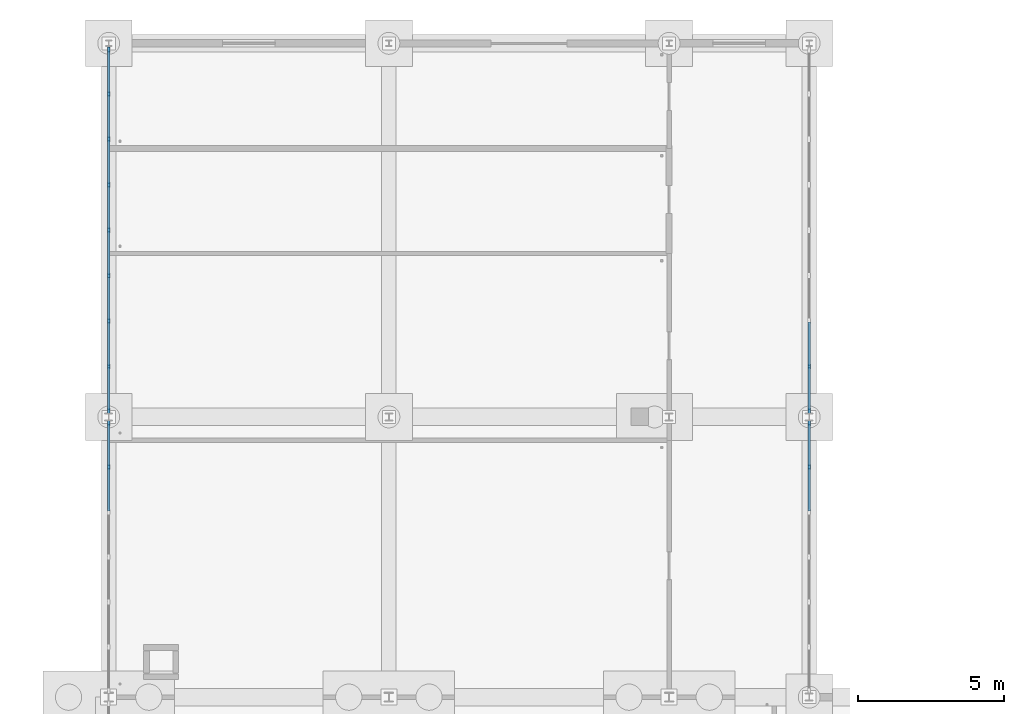
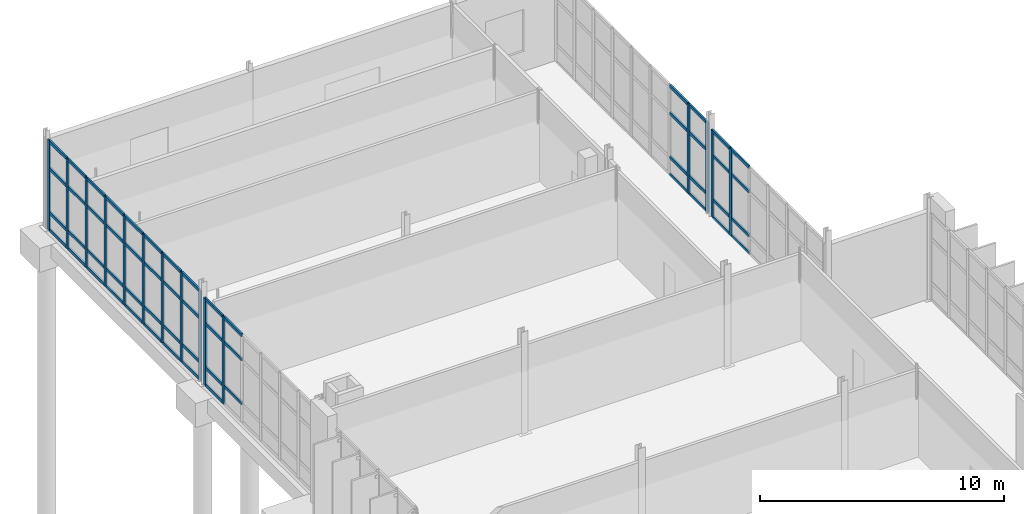
# One storey, part 34 of 111: 70 members, 4 elements without a shape of their own.
"""IFC4 building model written with IfcOpenShell, lengths in metres."""

import ifcopenshell
import ifcopenshell.guid

model = None  # the IFC model being written
_history = None  # IfcOwnerHistory: only IFC2X3 demands one
_inside = {}  # id of a spatial element -> (the spatial element, [elements in it])
_under = {}  # id of a project, library or spatial element -> (it, [spatial elements below it])
_declared = {}  # id of a project -> (the project, [libraries it declares])
_typed = {}  # id of a type object -> (the type object, [elements of that type])
_made_of = {}  # id of a material, layer set ... -> (it, [elements and type objects made of it])


def new_model(schema):
    """Start an empty IFC model of exactly this schema.

    Asked for "IFC4X3", IfcOpenShell would pick the latest addendum, in which some entities
    have other attributes; the version numbers below select the first issue.
    IFC2X3 requires an IfcOwnerHistory on every rooted entity: one is made here for all.
    """
    global model, _history
    if schema == "IFC4X3":
        model = ifcopenshell.file(schema_version=(4, 3, 0, 0))
    else:
        model = ifcopenshell.file(schema=schema)
    _inside.clear()
    _under.clear()
    _declared.clear()
    _typed.clear()
    _made_of.clear()
    _history = None
    if model.schema == "IFC2X3":
        org = make("IfcOrganization", Name="unknown")
        user = make(
            "IfcPersonAndOrganization",
            ThePerson=make("IfcPerson", FamilyName="unknown"),
            TheOrganization=org,
        )
        app = make(
            "IfcApplication",
            ApplicationDeveloper=org,
            Version="unknown",
            ApplicationFullName="unknown",
            ApplicationIdentifier="unknown",
        )
        _history = make(
            "IfcOwnerHistory",
            OwningUser=user,
            OwningApplication=app,
            ChangeAction="ADDED",
            CreationDate=0,
        )
    return model


def make(cls, **values):
    """One entity of the class cls with the attributes given. An attribute that is None is left unset."""
    return model.create_entity(
        cls, **{name: value for name, value in values.items() if value is not None}
    )


def rooted(cls, **values):
    """An entity with a GlobalId (a new one), such as an element, a storey or a relation."""
    return make(cls, GlobalId=ifcopenshell.guid.new(), OwnerHistory=_history, **values)


def si_unit(unit_type, name, prefix=None):
    """IfcSIUnit, for example si_unit("LENGTHUNIT", "METRE", prefix="MILLI")."""
    return make("IfcSIUnit", UnitType=unit_type, Prefix=prefix, Name=name)


def assignment(units):
    """IfcUnitAssignment: the units of a project."""
    return None if units is None else make("IfcUnitAssignment", Units=units)


def point(xyz):
    """IfcCartesianPoint."""
    return None if xyz is None else make("IfcCartesianPoint", Coordinates=xyz)


def direction(xyz):
    """IfcDirection."""
    return None if xyz is None else make("IfcDirection", DirectionRatios=xyz)


def frame(location, z_axis=None, x_axis=None):
    """IfcAxis2Placement3D, a coordinate frame: its origin and axes. An axis left out is left unset."""
    return make(
        "IfcAxis2Placement3D",
        Location=point(location),
        Axis=direction(z_axis),
        RefDirection=direction(x_axis),
    )


def frame_2d(location, x_axis=None):
    """IfcAxis2Placement2D, a coordinate frame in the plane: its origin and x axis."""
    return make(
        "IfcAxis2Placement2D", Location=point(location), RefDirection=direction(x_axis)
    )


def origin():
    """The frame at (0, 0, 0) with its axes left unset."""
    return frame((0.0, 0.0, 0.0))


def origin_2d():
    """The frame at (0, 0) in the plane with its x axis left unset."""
    return frame_2d((0.0, 0.0))


def place(relative_to, where):
    """IfcLocalPlacement: puts the frame where relative to a parent placement (None: the world)."""
    return make(
        "IfcLocalPlacement", PlacementRelTo=relative_to, RelativePlacement=where
    )


def context(
    kind, dimensions, precision=None, world=None, true_north=None, identifier=None
):
    """IfcGeometricRepresentationContext, for example the 3D "Model" context."""
    return make(
        "IfcGeometricRepresentationContext",
        ContextIdentifier=identifier,
        ContextType=kind,
        CoordinateSpaceDimension=dimensions,
        Precision=precision,
        WorldCoordinateSystem=world,
        TrueNorth=true_north,
    )


def subcontext(parent, identifier, kind, view, scale=None):
    """IfcGeometricRepresentationSubContext, for example "Body" below "Model"."""
    return make(
        "IfcGeometricRepresentationSubContext",
        ContextIdentifier=identifier,
        ContextType=kind,
        ParentContext=parent,
        TargetScale=scale,
        TargetView=view,
    )


def project(units=None, contexts=None):
    """IfcProject with its units and contexts."""
    return rooted(
        "IfcProject",
        Name="project",
        RepresentationContexts=contexts,
        UnitsInContext=assignment(units),
    )


def spatial(cls, under=None, at=None, **own):
    """A site, building, storey or space (cls), placed at a placement, below another one or the project."""
    s = rooted(cls, ObjectPlacement=at, **own)
    if under is not None:
        _under.setdefault(under.id(), (under, []))[1].append(s)
    return s


def profile(cls, at=None, kind="AREA", **sizes):
    """A parametric profile (cls). Its sizes go by their IFC names, for example OverallWidth=200.0."""
    return make(cls, ProfileType=kind, Position=at, **sizes)


def rectangle(**sizes):
    """IfcRectangleProfileDef."""
    return profile("IfcRectangleProfileDef", **sizes)


def extrude(swept, where, along, depth):
    """IfcExtrudedAreaSolid: the profile swept, set in the frame where, extruded along a direction by depth."""
    return make(
        "IfcExtrudedAreaSolid",
        SweptArea=swept,
        Position=where,
        ExtrudedDirection=direction(along),
        Depth=depth,
    )


def shape(context_of_items, identifier, shape_type, items):
    """IfcShapeRepresentation: the items that make up one representation, for example the "Body"."""
    return make(
        "IfcShapeRepresentation",
        ContextOfItems=context_of_items,
        RepresentationIdentifier=identifier,
        RepresentationType=shape_type,
        Items=items,
    )


def material(Name=None, Category=None):
    """IfcMaterial."""
    return make("IfcMaterial", Name=Name, Category=Category)


def material_profile(
    of_material, cross_section, Name=None, Category=None, Priority=None
):
    """IfcMaterialProfile: a cross section and its material."""
    return make(
        "IfcMaterialProfile",
        Name=Name,
        Material=of_material,
        Profile=cross_section,
        Priority=Priority,
        Category=Category,
    )


def profile_set(profiles, Name=None, composite=None):
    """IfcMaterialProfileSet."""
    return make(
        "IfcMaterialProfileSet",
        Name=Name,
        MaterialProfiles=profiles,
        CompositeProfile=composite,
    )


def made_of(thing, what):
    """Note that an element or type object is made of a material, layer set ...; save() writes the relation."""
    if what is not None:
        _made_of.setdefault(what.id(), (what, []))[1].append(thing)
    return thing


def type_object(cls, material=None, **own):
    """A type object (cls), such as IfcWallType, which elements share."""
    return made_of(rooted(cls, **own), material)


def element(
    cls,
    number,
    at=None,
    inside=None,
    cuts=None,
    type_object=None,
    material=None,
    context=None,
    identifier="Body",
    shape_type=None,
    held_by="IfcProductDefinitionShape",
    body=None,
    shapes=None,
    **own,
):
    """One element of the class cls, such as IfcWall. Its Tag is "e" and its number.

    at: its placement. inside: the storey or other place that contains it. cuts: it is an
    opening in that element (IfcRelVoidsElement). A single representation is given by context,
    identifier, shape_type and body (its items); several are given by shapes. held_by: the class
    of the entity that holds the representations. save() writes the other relations.
    """
    e = rooted(cls, Tag="e%d" % number, ObjectPlacement=at, **own)
    if body is not None:
        shapes = [shape(context, identifier, shape_type, body)]
    if shapes is not None:
        e.Representation = make(held_by, Representations=shapes)
    if inside is not None:
        _inside.setdefault(inside.id(), (inside, []))[1].append(e)
    if cuts is not None:
        rooted(
            "IfcRelVoidsElement", RelatingBuildingElement=cuts, RelatedOpeningElement=e
        )
    if type_object is not None:
        _typed.setdefault(type_object.id(), (type_object, []))[1].append(e)
    return made_of(e, material)


def aggregate(whole, parts):
    """IfcRelAggregates: a whole, such as a stair, and the parts it consists of."""
    return rooted("IfcRelAggregates", RelatingObject=whole, RelatedObjects=parts)


def save(model, path):
    """Write the relations noted so far, then the file.

    IfcRelAggregates (storeys below a building ...), IfcRelContainedInSpatialStructure (elements
    in a storey), IfcRelDefinesByType, IfcRelAssociatesMaterial and IfcRelDeclares: one each for
    every whole, place, type object, material and project.
    """
    for whole, parts in _under.values():
        aggregate(whole, parts)
    for where, things in _inside.values():
        rooted(
            "IfcRelContainedInSpatialStructure",
            RelatedElements=things,
            RelatingStructure=where,
        )
    for kind, things in _typed.values():
        rooted("IfcRelDefinesByType", RelatedObjects=things, RelatingType=kind)
    for what, things in _made_of.values():
        rooted("IfcRelAssociatesMaterial", RelatedObjects=things, RelatingMaterial=what)
    for by, libraries in _declared.values():
        rooted("IfcRelDeclares", RelatingContext=by, RelatedDefinitions=libraries)
    model.write(path)


model = new_model("IFC4")

# Units and contexts
model_context = context("Model", 3, precision=1e-05, world=origin(), true_north=direction((0.0, 1.0)))
body_context = subcontext(model_context, "Body", "Model", "MODEL_VIEW")
ifc_project = project(units=[si_unit("LENGTHUNIT", "METRE"), si_unit("AREAUNIT", "SQUARE_METRE"), si_unit("VOLUMEUNIT", "CUBIC_METRE"), si_unit("PLANEANGLEUNIT", "RADIAN"), si_unit("MASSUNIT", "GRAM", prefix="KILO")], contexts=[model_context])

# Site, building, storey
site_placement = place(None, origin())
site = spatial("IfcSite", under=ifc_project, at=site_placement, CompositionType="ELEMENT")
building_placement = place(site_placement, origin())
building = spatial("IfcBuilding", under=site, at=building_placement, Name="Dunescarp Central Library", CompositionType="ELEMENT")
storey_placement = place(building_placement, origin())
storey = spatial("IfcBuildingStorey", under=building, at=storey_placement, Name="L00", CompositionType="ELEMENT", Elevation=0.0)

# Curtain wall, members
ifc_material = material(Name="Marine-grade anodised aluminium 6063-T6", Category="aluminium")
curtain_wall_type = type_object("IfcCurtainWallType", Name="ARC-CW-STICK", PredefinedType="NOTDEFINED", material=ifc_material)
curtain_wall_1_placement = place(storey_placement, origin())
curtain_wall_1 = element("IfcCurtainWall", 1, at=curtain_wall_1_placement, inside=storey, type_object=curtain_wall_type, Name="L00 curtain wall CW-V4N-138", PredefinedType="NOTDEFINED")
ifc_material_profile_1 = material_profile(ifc_material, rectangle(XDim=0.080078125, YDim=0.179931640625, at=origin_2d()), Name="AL 80x180")
ifc_profile_set_1 = profile_set([ifc_material_profile_1], Name="Marine-grade anodised aluminium 6063-T6")
member_type_1 = type_object("IfcMemberType", Name="ARC-CWM-180", PredefinedType="MULLION", material=ifc_profile_set_1)
member_1_placement = place(storey_placement, frame((0.0, 97.4833984375, 0.0), z_axis=(0.0, 0.0, 1.0), x_axis=(-1.0, 0.0, 0.0)))
member_1 = element("IfcMember", 2, at=member_1_placement, type_object=member_type_1, Name="CW-V4N-138 mullion 6", PredefinedType="MULLION", context=body_context, shape_type="SweptSolid", body=[
    extrude(rectangle(XDim=0.080078125, YDim=0.179931640625, at=origin_2d()), origin(), (0.0, 0.0, 1.0), 4.35498046875),
])
member_2_placement = place(storey_placement, frame((0.0, 98.985107421875, 0.0), z_axis=(0.0, 0.0, 1.0), x_axis=(-1.0, 0.0, 0.0)))
member_2 = element("IfcMember", 3, at=member_2_placement, type_object=member_type_1, Name="CW-V4N-138 mullion 7", PredefinedType="MULLION", context=body_context, shape_type="SweptSolid", body=[
    extrude(rectangle(XDim=0.080078125, YDim=0.179931640625, at=origin_2d()), origin(), (0.0, 0.0, 1.0), 4.35498046875),
])

curtain_wall_2_placement = place(storey_placement, origin())
curtain_wall_2 = element("IfcCurtainWall", 4, at=curtain_wall_2_placement, inside=storey, type_object=curtain_wall_type, Name="L00 curtain wall CW-V4N-139", PredefinedType="NOTDEFINED")
member_3_placement = place(storey_placement, frame((24.0, 98.985107421875, 0.0), z_axis=(0.0, 0.0, 1.0), x_axis=(1.0, 0.0, 0.0)))
member_3 = element("IfcMember", 5, at=member_3_placement, type_object=member_type_1, Name="CW-V4N-139 mullion 1", PredefinedType="MULLION", context=body_context, shape_type="SweptSolid", body=[
    extrude(rectangle(XDim=0.080078125, YDim=0.179931640625, at=origin_2d()), origin(), (0.0, 0.0, 1.0), 4.35498046875),
])
member_4_placement = place(storey_placement, frame((24.0, 97.4833984375, 0.0), z_axis=(0.0, 0.0, 1.0), x_axis=(1.0, 0.0, 0.0)))
member_4 = element("IfcMember", 6, at=member_4_placement, type_object=member_type_1, Name="CW-V4N-139 mullion 2", PredefinedType="MULLION", context=body_context, shape_type="SweptSolid", body=[
    extrude(rectangle(XDim=0.080078125, YDim=0.179931640625, at=origin_2d()), origin(), (0.0, 0.0, 1.0), 4.35498046875),
])

curtain_wall_3_placement = place(storey_placement, origin())
curtain_wall_3 = element("IfcCurtainWall", 7, at=curtain_wall_3_placement, inside=storey, type_object=curtain_wall_type, Name="L00 curtain wall CW-V4N-140", PredefinedType="NOTDEFINED")
member_5_placement = place(storey_placement, frame((0.0, 99.4150390625, 0.0), z_axis=(0.0, 0.0, 1.0), x_axis=(-1.0, 0.0, 0.0)))
member_5 = element("IfcMember", 8, at=member_5_placement, type_object=member_type_1, Name="CW-V4N-140 mullion 1", PredefinedType="MULLION", context=body_context, shape_type="SweptSolid", body=[
    extrude(rectangle(XDim=0.080078125, YDim=0.179931640625, at=origin_2d()), origin(), (0.0, 0.0, 1.0), 4.4951171875),
])
member_6_placement = place(storey_placement, frame((0.0, 100.93115234375, 0.0), z_axis=(0.0, 0.0, 1.0), x_axis=(-1.0, 0.0, 0.0)))
member_6 = element("IfcMember", 9, at=member_6_placement, type_object=member_type_1, Name="CW-V4N-140 mullion 2", PredefinedType="MULLION", context=body_context, shape_type="SweptSolid", body=[
    extrude(rectangle(XDim=0.080078125, YDim=0.179931640625, at=origin_2d()), origin(), (0.0, 0.0, 1.0), 4.4951171875),
])
member_7_placement = place(storey_placement, frame((0.0, 102.487548828125, 0.0), z_axis=(0.0, 0.0, 1.0), x_axis=(-1.0, 0.0, 0.0)))
member_7 = element("IfcMember", 10, at=member_7_placement, type_object=member_type_1, Name="CW-V4N-140 mullion 3", PredefinedType="MULLION", context=body_context, shape_type="SweptSolid", body=[
    extrude(rectangle(XDim=0.080078125, YDim=0.179931640625, at=origin_2d()), origin(), (0.0, 0.0, 1.0), 4.4951171875),
])
member_8_placement = place(storey_placement, frame((0.0, 104.043701171875, 0.0), z_axis=(0.0, 0.0, 1.0), x_axis=(-1.0, 0.0, 0.0)))
member_8 = element("IfcMember", 11, at=member_8_placement, type_object=member_type_1, Name="CW-V4N-140 mullion 4", PredefinedType="MULLION", context=body_context, shape_type="SweptSolid", body=[
    extrude(rectangle(XDim=0.080078125, YDim=0.179931640625, at=origin_2d()), origin(), (0.0, 0.0, 1.0), 4.4951171875),
])
member_9_placement = place(storey_placement, frame((0.0, 105.60009765625, 0.0), z_axis=(0.0, 0.0, 1.0), x_axis=(-1.0, 0.0, 0.0)))
member_9 = element("IfcMember", 12, at=member_9_placement, type_object=member_type_1, Name="CW-V4N-140 mullion 5", PredefinedType="MULLION", context=body_context, shape_type="SweptSolid", body=[
    extrude(rectangle(XDim=0.080078125, YDim=0.179931640625, at=origin_2d()), origin(), (0.0, 0.0, 1.0), 4.4951171875),
])
member_10_placement = place(storey_placement, frame((0.0, 107.15625, 0.0), z_axis=(0.0, 0.0, 1.0), x_axis=(-1.0, 0.0, 0.0)))
member_10 = element("IfcMember", 13, at=member_10_placement, type_object=member_type_1, Name="CW-V4N-140 mullion 6", PredefinedType="MULLION", context=body_context, shape_type="SweptSolid", body=[
    extrude(rectangle(XDim=0.080078125, YDim=0.179931640625, at=origin_2d()), origin(), (0.0, 0.0, 1.0), 4.4951171875),
])
member_11_placement = place(storey_placement, frame((0.0, 108.71240234375, 0.0), z_axis=(0.0, 0.0, 1.0), x_axis=(-1.0, 0.0, 0.0)))
member_11 = element("IfcMember", 14, at=member_11_placement, type_object=member_type_1, Name="CW-V4N-140 mullion 7", PredefinedType="MULLION", context=body_context, shape_type="SweptSolid", body=[
    extrude(rectangle(XDim=0.080078125, YDim=0.179931640625, at=origin_2d()), origin(), (0.0, 0.0, 1.0), 4.4951171875),
])
member_12_placement = place(storey_placement, frame((0.0, 110.268798828125, 0.0), z_axis=(0.0, 0.0, 1.0), x_axis=(-1.0, 0.0, 0.0)))
member_12 = element("IfcMember", 15, at=member_12_placement, type_object=member_type_1, Name="CW-V4N-140 mullion 8", PredefinedType="MULLION", context=body_context, shape_type="SweptSolid", body=[
    extrude(rectangle(XDim=0.080078125, YDim=0.179931640625, at=origin_2d()), origin(), (0.0, 0.0, 1.0), 4.4951171875),
])
member_13_placement = place(storey_placement, frame((0.0, 111.784912109375, 0.0), z_axis=(0.0, 0.0, 1.0), x_axis=(-1.0, 0.0, 0.0)))
member_13 = element("IfcMember", 16, at=member_13_placement, type_object=member_type_1, Name="CW-V4N-140 mullion 9", PredefinedType="MULLION", context=body_context, shape_type="SweptSolid", body=[
    extrude(rectangle(XDim=0.080078125, YDim=0.179931640625, at=origin_2d()), origin(), (0.0, 0.0, 1.0), 4.4951171875),
])

curtain_wall_4_placement = place(storey_placement, origin())
curtain_wall_4 = element("IfcCurtainWall", 17, at=curtain_wall_4_placement, inside=storey, type_object=curtain_wall_type, Name="L00 curtain wall CW-V4N-141", PredefinedType="NOTDEFINED")
member_14_placement = place(storey_placement, frame((24.0, 100.93115234375, 0.0), z_axis=(0.0, 0.0, 1.0), x_axis=(1.0, 0.0, 0.0)))
member_14 = element("IfcMember", 18, at=member_14_placement, type_object=member_type_1, Name="CW-V4N-141 mullion 8", PredefinedType="MULLION", context=body_context, shape_type="SweptSolid", body=[
    extrude(rectangle(XDim=0.080078125, YDim=0.179931640625, at=origin_2d()), origin(), (0.0, 0.0, 1.0), 4.4951171875),
])
member_15_placement = place(storey_placement, frame((24.0, 99.4150390625, 0.0), z_axis=(0.0, 0.0, 1.0), x_axis=(1.0, 0.0, 0.0)))
member_15 = element("IfcMember", 19, at=member_15_placement, type_object=member_type_1, Name="CW-V4N-141 mullion 9", PredefinedType="MULLION", context=body_context, shape_type="SweptSolid", body=[
    extrude(rectangle(XDim=0.080078125, YDim=0.179931640625, at=origin_2d()), origin(), (0.0, 0.0, 1.0), 4.4951171875),
])

# Member
ifc_material_profile_2 = material_profile(ifc_material, rectangle(XDim=0.080078125, YDim=0.14990234375, at=origin_2d()), Name="AL 80x150")
ifc_profile_set_2 = profile_set([ifc_material_profile_2], Name="Marine-grade anodised aluminium 6063-T6")
member_type_2 = type_object("IfcMemberType", Name="ARC-CWT-150", PredefinedType="USERDEFINED", material=ifc_profile_set_2)
member_16_placement = place(storey_placement, frame((0.0, 95.981689453125, 0.89990234375), z_axis=(0.0, 1.0, 0.0), x_axis=(-1.0, 0.0, 0.0)))
member_16 = element("IfcMember", 20, at=member_16_placement, type_object=member_type_2, Name="CW-V4N-138 transom 5.2", ObjectType="TRANSOM", PredefinedType="USERDEFINED", context=body_context, shape_type="SweptSolid", body=[
    extrude(rectangle(XDim=0.080078125, YDim=0.14990234375, at=origin_2d()), origin(), (0.0, 0.0, 1.0), 1.461669921875),
])

member_17_placement = place(storey_placement, frame((0.0, 95.981689453125, 3.10009765625), z_axis=(0.0, 1.0, 0.0), x_axis=(-1.0, 0.0, 0.0)))
member_17 = element("IfcMember", 21, at=member_17_placement, type_object=member_type_2, Name="CW-V4N-138 transom 5.3", ObjectType="TRANSOM", PredefinedType="USERDEFINED", context=body_context, shape_type="SweptSolid", body=[
    extrude(rectangle(XDim=0.080078125, YDim=0.14990234375, at=origin_2d()), origin(), (0.0, 0.0, 1.0), 1.461669921875),
])

member_18_placement = place(storey_placement, frame((0.0, 95.981689453125, 4.31494140625), z_axis=(0.0, 1.0, 0.0), x_axis=(-1.0, 0.0, 0.0)))
member_18 = element("IfcMember", 22, at=member_18_placement, type_object=member_type_2, Name="CW-V4N-138 transom 5.4", ObjectType="TRANSOM", PredefinedType="USERDEFINED", context=body_context, shape_type="SweptSolid", body=[
    extrude(rectangle(XDim=0.080078125, YDim=0.14990234375, at=origin_2d()), origin(), (0.0, 0.0, 1.0), 1.461669921875),
])

member_19_placement = place(storey_placement, frame((0.0, 97.5234375, 0.0400390625), z_axis=(0.0, 1.0, 0.0), x_axis=(-1.0, 0.0, 0.0)))
member_19 = element("IfcMember", 23, at=member_19_placement, type_object=member_type_2, Name="CW-V4N-138 transom 6.1", ObjectType="TRANSOM", PredefinedType="USERDEFINED", context=body_context, shape_type="SweptSolid", body=[
    extrude(rectangle(XDim=0.080078125, YDim=0.14990234375, at=origin_2d()), origin(), (0.0, 0.0, 1.0), 1.421630859375),
])

member_20_placement = place(storey_placement, frame((0.0, 97.5234375, 0.89990234375), z_axis=(0.0, 1.0, 0.0), x_axis=(-1.0, 0.0, 0.0)))
member_20 = element("IfcMember", 24, at=member_20_placement, type_object=member_type_2, Name="CW-V4N-138 transom 6.2", ObjectType="TRANSOM", PredefinedType="USERDEFINED", context=body_context, shape_type="SweptSolid", body=[
    extrude(rectangle(XDim=0.080078125, YDim=0.14990234375, at=origin_2d()), origin(), (0.0, 0.0, 1.0), 1.421630859375),
])

member_21_placement = place(storey_placement, frame((0.0, 97.5234375, 3.10009765625), z_axis=(0.0, 1.0, 0.0), x_axis=(-1.0, 0.0, 0.0)))
member_21 = element("IfcMember", 25, at=member_21_placement, type_object=member_type_2, Name="CW-V4N-138 transom 6.3", ObjectType="TRANSOM", PredefinedType="USERDEFINED", context=body_context, shape_type="SweptSolid", body=[
    extrude(rectangle(XDim=0.080078125, YDim=0.14990234375, at=origin_2d()), origin(), (0.0, 0.0, 1.0), 1.421630859375),
])

member_22_placement = place(storey_placement, frame((0.0, 97.5234375, 4.31494140625), z_axis=(0.0, 1.0, 0.0), x_axis=(-1.0, 0.0, 0.0)))
member_22 = element("IfcMember", 26, at=member_22_placement, type_object=member_type_2, Name="CW-V4N-138 transom 6.4", ObjectType="TRANSOM", PredefinedType="USERDEFINED", context=body_context, shape_type="SweptSolid", body=[
    extrude(rectangle(XDim=0.080078125, YDim=0.14990234375, at=origin_2d()), origin(), (0.0, 0.0, 1.0), 1.421630859375),
])

aggregate(curtain_wall_1, [member_1, member_2, member_16, member_17, member_18, member_19, member_20, member_21, member_22])

member_23_placement = place(storey_placement, frame((24.0, 98.945068359375, 0.0400390625), z_axis=(0.0, -1.0, 0.0), x_axis=(1.0, 0.0, 0.0)))
member_23 = element("IfcMember", 27, at=member_23_placement, type_object=member_type_2, Name="CW-V4N-139 transom 1.1", ObjectType="TRANSOM", PredefinedType="USERDEFINED", context=body_context, shape_type="SweptSolid", body=[
    extrude(rectangle(XDim=0.080078125, YDim=0.14990234375, at=origin_2d()), origin(), (0.0, 0.0, 1.0), 1.421630859375),
])

member_24_placement = place(storey_placement, frame((24.0, 98.945068359375, 0.89990234375), z_axis=(0.0, -1.0, 0.0), x_axis=(1.0, 0.0, 0.0)))
member_24 = element("IfcMember", 28, at=member_24_placement, type_object=member_type_2, Name="CW-V4N-139 transom 1.2", ObjectType="TRANSOM", PredefinedType="USERDEFINED", context=body_context, shape_type="SweptSolid", body=[
    extrude(rectangle(XDim=0.080078125, YDim=0.14990234375, at=origin_2d()), origin(), (0.0, 0.0, 1.0), 1.421630859375),
])

member_25_placement = place(storey_placement, frame((24.0, 98.945068359375, 3.10009765625), z_axis=(0.0, -1.0, 0.0), x_axis=(1.0, 0.0, 0.0)))
member_25 = element("IfcMember", 29, at=member_25_placement, type_object=member_type_2, Name="CW-V4N-139 transom 1.3", ObjectType="TRANSOM", PredefinedType="USERDEFINED", context=body_context, shape_type="SweptSolid", body=[
    extrude(rectangle(XDim=0.080078125, YDim=0.14990234375, at=origin_2d()), origin(), (0.0, 0.0, 1.0), 1.421630859375),
])

member_26_placement = place(storey_placement, frame((24.0, 98.945068359375, 4.31494140625), z_axis=(0.0, -1.0, 0.0), x_axis=(1.0, 0.0, 0.0)))
member_26 = element("IfcMember", 30, at=member_26_placement, type_object=member_type_2, Name="CW-V4N-139 transom 1.4", ObjectType="TRANSOM", PredefinedType="USERDEFINED", context=body_context, shape_type="SweptSolid", body=[
    extrude(rectangle(XDim=0.080078125, YDim=0.14990234375, at=origin_2d()), origin(), (0.0, 0.0, 1.0), 1.421630859375),
])

member_27_placement = place(storey_placement, frame((24.0, 97.443359375, 0.0400390625), z_axis=(0.0, -1.0, 0.0), x_axis=(1.0, 0.0, 0.0)))
member_27 = element("IfcMember", 31, at=member_27_placement, type_object=member_type_2, Name="CW-V4N-139 transom 2.1", ObjectType="TRANSOM", PredefinedType="USERDEFINED", context=body_context, shape_type="SweptSolid", body=[
    extrude(rectangle(XDim=0.080078125, YDim=0.14990234375, at=origin_2d()), origin(), (0.0, 0.0, 1.0), 1.461669921875),
])

member_28_placement = place(storey_placement, frame((24.0, 97.443359375, 0.89990234375), z_axis=(0.0, -1.0, 0.0), x_axis=(1.0, 0.0, 0.0)))
member_28 = element("IfcMember", 32, at=member_28_placement, type_object=member_type_2, Name="CW-V4N-139 transom 2.2", ObjectType="TRANSOM", PredefinedType="USERDEFINED", context=body_context, shape_type="SweptSolid", body=[
    extrude(rectangle(XDim=0.080078125, YDim=0.14990234375, at=origin_2d()), origin(), (0.0, 0.0, 1.0), 1.461669921875),
])

member_29_placement = place(storey_placement, frame((24.0, 97.443359375, 3.10009765625), z_axis=(0.0, -1.0, 0.0), x_axis=(1.0, 0.0, 0.0)))
member_29 = element("IfcMember", 33, at=member_29_placement, type_object=member_type_2, Name="CW-V4N-139 transom 2.3", ObjectType="TRANSOM", PredefinedType="USERDEFINED", context=body_context, shape_type="SweptSolid", body=[
    extrude(rectangle(XDim=0.080078125, YDim=0.14990234375, at=origin_2d()), origin(), (0.0, 0.0, 1.0), 1.461669921875),
])

member_30_placement = place(storey_placement, frame((24.0, 97.443359375, 4.31494140625), z_axis=(0.0, -1.0, 0.0), x_axis=(1.0, 0.0, 0.0)))
member_30 = element("IfcMember", 34, at=member_30_placement, type_object=member_type_2, Name="CW-V4N-139 transom 2.4", ObjectType="TRANSOM", PredefinedType="USERDEFINED", context=body_context, shape_type="SweptSolid", body=[
    extrude(rectangle(XDim=0.080078125, YDim=0.14990234375, at=origin_2d()), origin(), (0.0, 0.0, 1.0), 1.461669921875),
])

aggregate(curtain_wall_2, [member_3, member_4, member_23, member_24, member_25, member_26, member_27, member_28, member_29, member_30])

member_31_placement = place(storey_placement, frame((0.0, 99.455078125, 0.0400390625), z_axis=(0.0, 1.0, 0.0), x_axis=(-1.0, 0.0, 0.0)))
member_31 = element("IfcMember", 35, at=member_31_placement, type_object=member_type_2, Name="CW-V4N-140 transom 1.1", ObjectType="TRANSOM", PredefinedType="USERDEFINED", context=body_context, shape_type="SweptSolid", body=[
    extrude(rectangle(XDim=0.080078125, YDim=0.14990234375, at=origin_2d()), origin(), (0.0, 0.0, 1.0), 1.436279296875),
])

member_32_placement = place(storey_placement, frame((0.0, 99.455078125, 0.89990234375), z_axis=(0.0, 1.0, 0.0), x_axis=(-1.0, 0.0, 0.0)))
member_32 = element("IfcMember", 36, at=member_32_placement, type_object=member_type_2, Name="CW-V4N-140 transom 1.2", ObjectType="TRANSOM", PredefinedType="USERDEFINED", context=body_context, shape_type="SweptSolid", body=[
    extrude(rectangle(XDim=0.080078125, YDim=0.14990234375, at=origin_2d()), origin(), (0.0, 0.0, 1.0), 1.436279296875),
])

member_33_placement = place(storey_placement, frame((0.0, 99.455078125, 3.10009765625), z_axis=(0.0, 1.0, 0.0), x_axis=(-1.0, 0.0, 0.0)))
member_33 = element("IfcMember", 37, at=member_33_placement, type_object=member_type_2, Name="CW-V4N-140 transom 1.3", ObjectType="TRANSOM", PredefinedType="USERDEFINED", context=body_context, shape_type="SweptSolid", body=[
    extrude(rectangle(XDim=0.080078125, YDim=0.14990234375, at=origin_2d()), origin(), (0.0, 0.0, 1.0), 1.436279296875),
])

member_34_placement = place(storey_placement, frame((0.0, 99.455078125, 4.455078125), z_axis=(0.0, 1.0, 0.0), x_axis=(-1.0, 0.0, 0.0)))
member_34 = element("IfcMember", 38, at=member_34_placement, type_object=member_type_2, Name="CW-V4N-140 transom 1.4", ObjectType="TRANSOM", PredefinedType="USERDEFINED", context=body_context, shape_type="SweptSolid", body=[
    extrude(rectangle(XDim=0.080078125, YDim=0.14990234375, at=origin_2d()), origin(), (0.0, 0.0, 1.0), 1.436279296875),
])

member_35_placement = place(storey_placement, frame((0.0, 100.97119140625, 0.0400390625), z_axis=(0.0, 1.0, 0.0), x_axis=(-1.0, 0.0, 0.0)))
member_35 = element("IfcMember", 39, at=member_35_placement, type_object=member_type_2, Name="CW-V4N-140 transom 2.1", ObjectType="TRANSOM", PredefinedType="USERDEFINED", context=body_context, shape_type="SweptSolid", body=[
    extrude(rectangle(XDim=0.080078125, YDim=0.14990234375, at=origin_2d()), origin(), (0.0, 0.0, 1.0), 1.476318359375),
])

member_36_placement = place(storey_placement, frame((0.0, 100.97119140625, 0.89990234375), z_axis=(0.0, 1.0, 0.0), x_axis=(-1.0, 0.0, 0.0)))
member_36 = element("IfcMember", 40, at=member_36_placement, type_object=member_type_2, Name="CW-V4N-140 transom 2.2", ObjectType="TRANSOM", PredefinedType="USERDEFINED", context=body_context, shape_type="SweptSolid", body=[
    extrude(rectangle(XDim=0.080078125, YDim=0.14990234375, at=origin_2d()), origin(), (0.0, 0.0, 1.0), 1.476318359375),
])

member_37_placement = place(storey_placement, frame((0.0, 100.97119140625, 3.10009765625), z_axis=(0.0, 1.0, 0.0), x_axis=(-1.0, 0.0, 0.0)))
member_37 = element("IfcMember", 41, at=member_37_placement, type_object=member_type_2, Name="CW-V4N-140 transom 2.3", ObjectType="TRANSOM", PredefinedType="USERDEFINED", context=body_context, shape_type="SweptSolid", body=[
    extrude(rectangle(XDim=0.080078125, YDim=0.14990234375, at=origin_2d()), origin(), (0.0, 0.0, 1.0), 1.476318359375),
])

member_38_placement = place(storey_placement, frame((0.0, 100.97119140625, 4.455078125), z_axis=(0.0, 1.0, 0.0), x_axis=(-1.0, 0.0, 0.0)))
member_38 = element("IfcMember", 42, at=member_38_placement, type_object=member_type_2, Name="CW-V4N-140 transom 2.4", ObjectType="TRANSOM", PredefinedType="USERDEFINED", context=body_context, shape_type="SweptSolid", body=[
    extrude(rectangle(XDim=0.080078125, YDim=0.14990234375, at=origin_2d()), origin(), (0.0, 0.0, 1.0), 1.476318359375),
])

member_39_placement = place(storey_placement, frame((0.0, 102.527587890625, 0.0400390625), z_axis=(0.0, 1.0, 0.0), x_axis=(-1.0, 0.0, 0.0)))
member_39 = element("IfcMember", 43, at=member_39_placement, type_object=member_type_2, Name="CW-V4N-140 transom 3.1", ObjectType="TRANSOM", PredefinedType="USERDEFINED", context=body_context, shape_type="SweptSolid", body=[
    extrude(rectangle(XDim=0.080078125, YDim=0.14990234375, at=origin_2d()), origin(), (0.0, 0.0, 1.0), 1.47607421875),
])

member_40_placement = place(storey_placement, frame((0.0, 102.527587890625, 0.89990234375), z_axis=(0.0, 1.0, 0.0), x_axis=(-1.0, 0.0, 0.0)))
member_40 = element("IfcMember", 44, at=member_40_placement, type_object=member_type_2, Name="CW-V4N-140 transom 3.2", ObjectType="TRANSOM", PredefinedType="USERDEFINED", context=body_context, shape_type="SweptSolid", body=[
    extrude(rectangle(XDim=0.080078125, YDim=0.14990234375, at=origin_2d()), origin(), (0.0, 0.0, 1.0), 1.47607421875),
])

member_41_placement = place(storey_placement, frame((0.0, 102.527587890625, 3.10009765625), z_axis=(0.0, 1.0, 0.0), x_axis=(-1.0, 0.0, 0.0)))
member_41 = element("IfcMember", 45, at=member_41_placement, type_object=member_type_2, Name="CW-V4N-140 transom 3.3", ObjectType="TRANSOM", PredefinedType="USERDEFINED", context=body_context, shape_type="SweptSolid", body=[
    extrude(rectangle(XDim=0.080078125, YDim=0.14990234375, at=origin_2d()), origin(), (0.0, 0.0, 1.0), 1.47607421875),
])

member_42_placement = place(storey_placement, frame((0.0, 102.527587890625, 4.455078125), z_axis=(0.0, 1.0, 0.0), x_axis=(-1.0, 0.0, 0.0)))
member_42 = element("IfcMember", 46, at=member_42_placement, type_object=member_type_2, Name="CW-V4N-140 transom 3.4", ObjectType="TRANSOM", PredefinedType="USERDEFINED", context=body_context, shape_type="SweptSolid", body=[
    extrude(rectangle(XDim=0.080078125, YDim=0.14990234375, at=origin_2d()), origin(), (0.0, 0.0, 1.0), 1.47607421875),
])

member_43_placement = place(storey_placement, frame((0.0, 104.083740234375, 0.0400390625), z_axis=(0.0, 1.0, 0.0), x_axis=(-1.0, 0.0, 0.0)))
member_43 = element("IfcMember", 47, at=member_43_placement, type_object=member_type_2, Name="CW-V4N-140 transom 4.1", ObjectType="TRANSOM", PredefinedType="USERDEFINED", context=body_context, shape_type="SweptSolid", body=[
    extrude(rectangle(XDim=0.080078125, YDim=0.14990234375, at=origin_2d()), origin(), (0.0, 0.0, 1.0), 1.476318359375),
])

member_44_placement = place(storey_placement, frame((0.0, 104.083740234375, 0.89990234375), z_axis=(0.0, 1.0, 0.0), x_axis=(-1.0, 0.0, 0.0)))
member_44 = element("IfcMember", 48, at=member_44_placement, type_object=member_type_2, Name="CW-V4N-140 transom 4.2", ObjectType="TRANSOM", PredefinedType="USERDEFINED", context=body_context, shape_type="SweptSolid", body=[
    extrude(rectangle(XDim=0.080078125, YDim=0.14990234375, at=origin_2d()), origin(), (0.0, 0.0, 1.0), 1.476318359375),
])

member_45_placement = place(storey_placement, frame((0.0, 104.083740234375, 3.10009765625), z_axis=(0.0, 1.0, 0.0), x_axis=(-1.0, 0.0, 0.0)))
member_45 = element("IfcMember", 49, at=member_45_placement, type_object=member_type_2, Name="CW-V4N-140 transom 4.3", ObjectType="TRANSOM", PredefinedType="USERDEFINED", context=body_context, shape_type="SweptSolid", body=[
    extrude(rectangle(XDim=0.080078125, YDim=0.14990234375, at=origin_2d()), origin(), (0.0, 0.0, 1.0), 1.476318359375),
])

member_46_placement = place(storey_placement, frame((0.0, 104.083740234375, 4.455078125), z_axis=(0.0, 1.0, 0.0), x_axis=(-1.0, 0.0, 0.0)))
member_46 = element("IfcMember", 50, at=member_46_placement, type_object=member_type_2, Name="CW-V4N-140 transom 4.4", ObjectType="TRANSOM", PredefinedType="USERDEFINED", context=body_context, shape_type="SweptSolid", body=[
    extrude(rectangle(XDim=0.080078125, YDim=0.14990234375, at=origin_2d()), origin(), (0.0, 0.0, 1.0), 1.476318359375),
])

member_47_placement = place(storey_placement, frame((0.0, 105.639892578125, 0.0400390625), z_axis=(0.0, 1.0, 0.0), x_axis=(-1.0, 0.0, 0.0)))
member_47 = element("IfcMember", 51, at=member_47_placement, type_object=member_type_2, Name="CW-V4N-140 transom 5.1", ObjectType="TRANSOM", PredefinedType="USERDEFINED", context=body_context, shape_type="SweptSolid", body=[
    extrude(rectangle(XDim=0.080078125, YDim=0.14990234375, at=origin_2d()), origin(), (0.0, 0.0, 1.0), 1.476318359375),
])

member_48_placement = place(storey_placement, frame((0.0, 105.639892578125, 0.89990234375), z_axis=(0.0, 1.0, 0.0), x_axis=(-1.0, 0.0, 0.0)))
member_48 = element("IfcMember", 52, at=member_48_placement, type_object=member_type_2, Name="CW-V4N-140 transom 5.2", ObjectType="TRANSOM", PredefinedType="USERDEFINED", context=body_context, shape_type="SweptSolid", body=[
    extrude(rectangle(XDim=0.080078125, YDim=0.14990234375, at=origin_2d()), origin(), (0.0, 0.0, 1.0), 1.476318359375),
])

member_49_placement = place(storey_placement, frame((0.0, 105.639892578125, 3.10009765625), z_axis=(0.0, 1.0, 0.0), x_axis=(-1.0, 0.0, 0.0)))
member_49 = element("IfcMember", 53, at=member_49_placement, type_object=member_type_2, Name="CW-V4N-140 transom 5.3", ObjectType="TRANSOM", PredefinedType="USERDEFINED", context=body_context, shape_type="SweptSolid", body=[
    extrude(rectangle(XDim=0.080078125, YDim=0.14990234375, at=origin_2d()), origin(), (0.0, 0.0, 1.0), 1.476318359375),
])

member_50_placement = place(storey_placement, frame((0.0, 105.639892578125, 4.455078125), z_axis=(0.0, 1.0, 0.0), x_axis=(-1.0, 0.0, 0.0)))
member_50 = element("IfcMember", 54, at=member_50_placement, type_object=member_type_2, Name="CW-V4N-140 transom 5.4", ObjectType="TRANSOM", PredefinedType="USERDEFINED", context=body_context, shape_type="SweptSolid", body=[
    extrude(rectangle(XDim=0.080078125, YDim=0.14990234375, at=origin_2d()), origin(), (0.0, 0.0, 1.0), 1.476318359375),
])

member_51_placement = place(storey_placement, frame((0.0, 107.1962890625, 0.0400390625), z_axis=(0.0, 1.0, 0.0), x_axis=(-1.0, 0.0, 0.0)))
member_51 = element("IfcMember", 55, at=member_51_placement, type_object=member_type_2, Name="CW-V4N-140 transom 6.1", ObjectType="TRANSOM", PredefinedType="USERDEFINED", context=body_context, shape_type="SweptSolid", body=[
    extrude(rectangle(XDim=0.080078125, YDim=0.14990234375, at=origin_2d()), origin(), (0.0, 0.0, 1.0), 1.476318359375),
])

member_52_placement = place(storey_placement, frame((0.0, 107.1962890625, 0.89990234375), z_axis=(0.0, 1.0, 0.0), x_axis=(-1.0, 0.0, 0.0)))
member_52 = element("IfcMember", 56, at=member_52_placement, type_object=member_type_2, Name="CW-V4N-140 transom 6.2", ObjectType="TRANSOM", PredefinedType="USERDEFINED", context=body_context, shape_type="SweptSolid", body=[
    extrude(rectangle(XDim=0.080078125, YDim=0.14990234375, at=origin_2d()), origin(), (0.0, 0.0, 1.0), 1.476318359375),
])

member_53_placement = place(storey_placement, frame((0.0, 107.1962890625, 3.10009765625), z_axis=(0.0, 1.0, 0.0), x_axis=(-1.0, 0.0, 0.0)))
member_53 = element("IfcMember", 57, at=member_53_placement, type_object=member_type_2, Name="CW-V4N-140 transom 6.3", ObjectType="TRANSOM", PredefinedType="USERDEFINED", context=body_context, shape_type="SweptSolid", body=[
    extrude(rectangle(XDim=0.080078125, YDim=0.14990234375, at=origin_2d()), origin(), (0.0, 0.0, 1.0), 1.476318359375),
])

member_54_placement = place(storey_placement, frame((0.0, 107.1962890625, 4.455078125), z_axis=(0.0, 1.0, 0.0), x_axis=(-1.0, 0.0, 0.0)))
member_54 = element("IfcMember", 58, at=member_54_placement, type_object=member_type_2, Name="CW-V4N-140 transom 6.4", ObjectType="TRANSOM", PredefinedType="USERDEFINED", context=body_context, shape_type="SweptSolid", body=[
    extrude(rectangle(XDim=0.080078125, YDim=0.14990234375, at=origin_2d()), origin(), (0.0, 0.0, 1.0), 1.476318359375),
])

member_55_placement = place(storey_placement, frame((0.0, 108.75244140625, 0.0400390625), z_axis=(0.0, 1.0, 0.0), x_axis=(-1.0, 0.0, 0.0)))
member_55 = element("IfcMember", 59, at=member_55_placement, type_object=member_type_2, Name="CW-V4N-140 transom 7.1", ObjectType="TRANSOM", PredefinedType="USERDEFINED", context=body_context, shape_type="SweptSolid", body=[
    extrude(rectangle(XDim=0.080078125, YDim=0.14990234375, at=origin_2d()), origin(), (0.0, 0.0, 1.0), 1.476318359375),
])

member_56_placement = place(storey_placement, frame((0.0, 108.75244140625, 0.89990234375), z_axis=(0.0, 1.0, 0.0), x_axis=(-1.0, 0.0, 0.0)))
member_56 = element("IfcMember", 60, at=member_56_placement, type_object=member_type_2, Name="CW-V4N-140 transom 7.2", ObjectType="TRANSOM", PredefinedType="USERDEFINED", context=body_context, shape_type="SweptSolid", body=[
    extrude(rectangle(XDim=0.080078125, YDim=0.14990234375, at=origin_2d()), origin(), (0.0, 0.0, 1.0), 1.476318359375),
])

member_57_placement = place(storey_placement, frame((0.0, 108.75244140625, 3.10009765625), z_axis=(0.0, 1.0, 0.0), x_axis=(-1.0, 0.0, 0.0)))
member_57 = element("IfcMember", 61, at=member_57_placement, type_object=member_type_2, Name="CW-V4N-140 transom 7.3", ObjectType="TRANSOM", PredefinedType="USERDEFINED", context=body_context, shape_type="SweptSolid", body=[
    extrude(rectangle(XDim=0.080078125, YDim=0.14990234375, at=origin_2d()), origin(), (0.0, 0.0, 1.0), 1.476318359375),
])

member_58_placement = place(storey_placement, frame((0.0, 108.75244140625, 4.455078125), z_axis=(0.0, 1.0, 0.0), x_axis=(-1.0, 0.0, 0.0)))
member_58 = element("IfcMember", 62, at=member_58_placement, type_object=member_type_2, Name="CW-V4N-140 transom 7.4", ObjectType="TRANSOM", PredefinedType="USERDEFINED", context=body_context, shape_type="SweptSolid", body=[
    extrude(rectangle(XDim=0.080078125, YDim=0.14990234375, at=origin_2d()), origin(), (0.0, 0.0, 1.0), 1.476318359375),
])

member_59_placement = place(storey_placement, frame((0.0, 110.308837890625, 0.0400390625), z_axis=(0.0, 1.0, 0.0), x_axis=(-1.0, 0.0, 0.0)))
member_59 = element("IfcMember", 63, at=member_59_placement, type_object=member_type_2, Name="CW-V4N-140 transom 8.1", ObjectType="TRANSOM", PredefinedType="USERDEFINED", context=body_context, shape_type="SweptSolid", body=[
    extrude(rectangle(XDim=0.080078125, YDim=0.14990234375, at=origin_2d()), origin(), (0.0, 0.0, 1.0), 1.436279296875),
])

member_60_placement = place(storey_placement, frame((0.0, 110.308837890625, 0.89990234375), z_axis=(0.0, 1.0, 0.0), x_axis=(-1.0, 0.0, 0.0)))
member_60 = element("IfcMember", 64, at=member_60_placement, type_object=member_type_2, Name="CW-V4N-140 transom 8.2", ObjectType="TRANSOM", PredefinedType="USERDEFINED", context=body_context, shape_type="SweptSolid", body=[
    extrude(rectangle(XDim=0.080078125, YDim=0.14990234375, at=origin_2d()), origin(), (0.0, 0.0, 1.0), 1.436279296875),
])

member_61_placement = place(storey_placement, frame((0.0, 110.308837890625, 3.10009765625), z_axis=(0.0, 1.0, 0.0), x_axis=(-1.0, 0.0, 0.0)))
member_61 = element("IfcMember", 65, at=member_61_placement, type_object=member_type_2, Name="CW-V4N-140 transom 8.3", ObjectType="TRANSOM", PredefinedType="USERDEFINED", context=body_context, shape_type="SweptSolid", body=[
    extrude(rectangle(XDim=0.080078125, YDim=0.14990234375, at=origin_2d()), origin(), (0.0, 0.0, 1.0), 1.436279296875),
])

member_62_placement = place(storey_placement, frame((0.0, 110.308837890625, 4.455078125), z_axis=(0.0, 1.0, 0.0), x_axis=(-1.0, 0.0, 0.0)))
member_62 = element("IfcMember", 66, at=member_62_placement, type_object=member_type_2, Name="CW-V4N-140 transom 8.4", ObjectType="TRANSOM", PredefinedType="USERDEFINED", context=body_context, shape_type="SweptSolid", body=[
    extrude(rectangle(XDim=0.080078125, YDim=0.14990234375, at=origin_2d()), origin(), (0.0, 0.0, 1.0), 1.436279296875),
])

aggregate(curtain_wall_3, [member_5, member_6, member_7, member_8, member_9, member_10, member_11, member_12, member_13, member_31, member_32, member_33, member_34, member_35, member_36, member_37, member_38, member_39, member_40, member_41, member_42, member_43, member_44, member_45, member_46, member_47, member_48, member_49, member_50, member_51, member_52, member_53, member_54, member_55, member_56, member_57, member_58, member_59, member_60, member_61, member_62])

member_63_placement = place(storey_placement, frame((24.0, 102.447509765625, 0.0400390625), z_axis=(0.0, -1.0, 0.0), x_axis=(1.0, 0.0, 0.0)))
member_63 = element("IfcMember", 67, at=member_63_placement, type_object=member_type_2, Name="CW-V4N-141 transom 7.1", ObjectType="TRANSOM", PredefinedType="USERDEFINED", context=body_context, shape_type="SweptSolid", body=[
    extrude(rectangle(XDim=0.080078125, YDim=0.14990234375, at=origin_2d()), origin(), (0.0, 0.0, 1.0), 1.476318359375),
])

member_64_placement = place(storey_placement, frame((24.0, 102.447509765625, 0.89990234375), z_axis=(0.0, -1.0, 0.0), x_axis=(1.0, 0.0, 0.0)))
member_64 = element("IfcMember", 68, at=member_64_placement, type_object=member_type_2, Name="CW-V4N-141 transom 7.2", ObjectType="TRANSOM", PredefinedType="USERDEFINED", context=body_context, shape_type="SweptSolid", body=[
    extrude(rectangle(XDim=0.080078125, YDim=0.14990234375, at=origin_2d()), origin(), (0.0, 0.0, 1.0), 1.476318359375),
])

member_65_placement = place(storey_placement, frame((24.0, 102.447509765625, 3.10009765625), z_axis=(0.0, -1.0, 0.0), x_axis=(1.0, 0.0, 0.0)))
member_65 = element("IfcMember", 69, at=member_65_placement, type_object=member_type_2, Name="CW-V4N-141 transom 7.3", ObjectType="TRANSOM", PredefinedType="USERDEFINED", context=body_context, shape_type="SweptSolid", body=[
    extrude(rectangle(XDim=0.080078125, YDim=0.14990234375, at=origin_2d()), origin(), (0.0, 0.0, 1.0), 1.476318359375),
])

member_66_placement = place(storey_placement, frame((24.0, 102.447509765625, 4.455078125), z_axis=(0.0, -1.0, 0.0), x_axis=(1.0, 0.0, 0.0)))
member_66 = element("IfcMember", 70, at=member_66_placement, type_object=member_type_2, Name="CW-V4N-141 transom 7.4", ObjectType="TRANSOM", PredefinedType="USERDEFINED", context=body_context, shape_type="SweptSolid", body=[
    extrude(rectangle(XDim=0.080078125, YDim=0.14990234375, at=origin_2d()), origin(), (0.0, 0.0, 1.0), 1.476318359375),
])

member_67_placement = place(storey_placement, frame((24.0, 100.891357421875, 0.0400390625), z_axis=(0.0, -1.0, 0.0), x_axis=(1.0, 0.0, 0.0)))
member_67 = element("IfcMember", 71, at=member_67_placement, type_object=member_type_2, Name="CW-V4N-141 transom 8.1", ObjectType="TRANSOM", PredefinedType="USERDEFINED", context=body_context, shape_type="SweptSolid", body=[
    extrude(rectangle(XDim=0.080078125, YDim=0.14990234375, at=origin_2d()), origin(), (0.0, 0.0, 1.0), 1.436279296875),
])

member_68_placement = place(storey_placement, frame((24.0, 100.891357421875, 0.89990234375), z_axis=(0.0, -1.0, 0.0), x_axis=(1.0, 0.0, 0.0)))
member_68 = element("IfcMember", 72, at=member_68_placement, type_object=member_type_2, Name="CW-V4N-141 transom 8.2", ObjectType="TRANSOM", PredefinedType="USERDEFINED", context=body_context, shape_type="SweptSolid", body=[
    extrude(rectangle(XDim=0.080078125, YDim=0.14990234375, at=origin_2d()), origin(), (0.0, 0.0, 1.0), 1.436279296875),
])

member_69_placement = place(storey_placement, frame((24.0, 100.891357421875, 3.10009765625), z_axis=(0.0, -1.0, 0.0), x_axis=(1.0, 0.0, 0.0)))
member_69 = element("IfcMember", 73, at=member_69_placement, type_object=member_type_2, Name="CW-V4N-141 transom 8.3", ObjectType="TRANSOM", PredefinedType="USERDEFINED", context=body_context, shape_type="SweptSolid", body=[
    extrude(rectangle(XDim=0.080078125, YDim=0.14990234375, at=origin_2d()), origin(), (0.0, 0.0, 1.0), 1.436279296875),
])

member_70_placement = place(storey_placement, frame((24.0, 100.891357421875, 4.455078125), z_axis=(0.0, -1.0, 0.0), x_axis=(1.0, 0.0, 0.0)))
member_70 = element("IfcMember", 74, at=member_70_placement, type_object=member_type_2, Name="CW-V4N-141 transom 8.4", ObjectType="TRANSOM", PredefinedType="USERDEFINED", context=body_context, shape_type="SweptSolid", body=[
    extrude(rectangle(XDim=0.080078125, YDim=0.14990234375, at=origin_2d()), origin(), (0.0, 0.0, 1.0), 1.436279296875),
])

aggregate(curtain_wall_4, [member_14, member_15, member_63, member_64, member_65, member_66, member_67, member_68, member_69, member_70])

save(model, "model.ifc")
